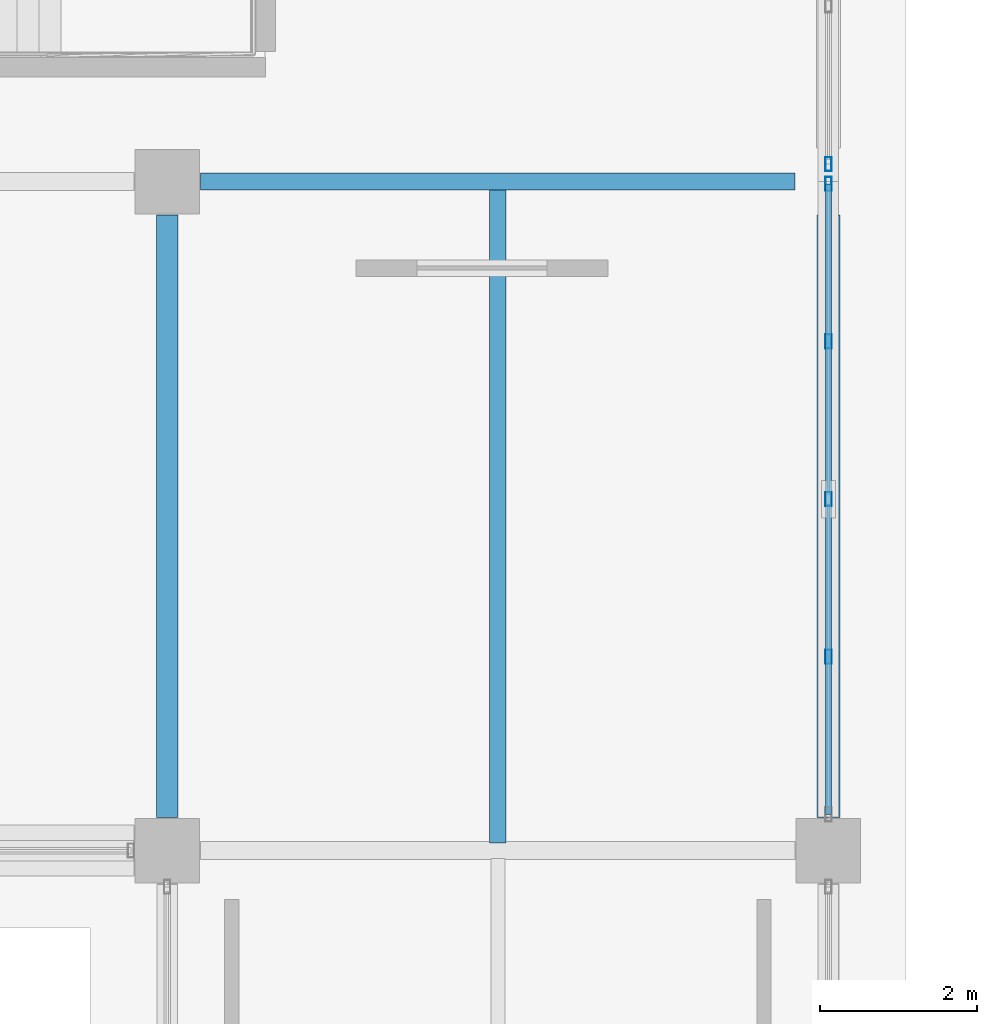
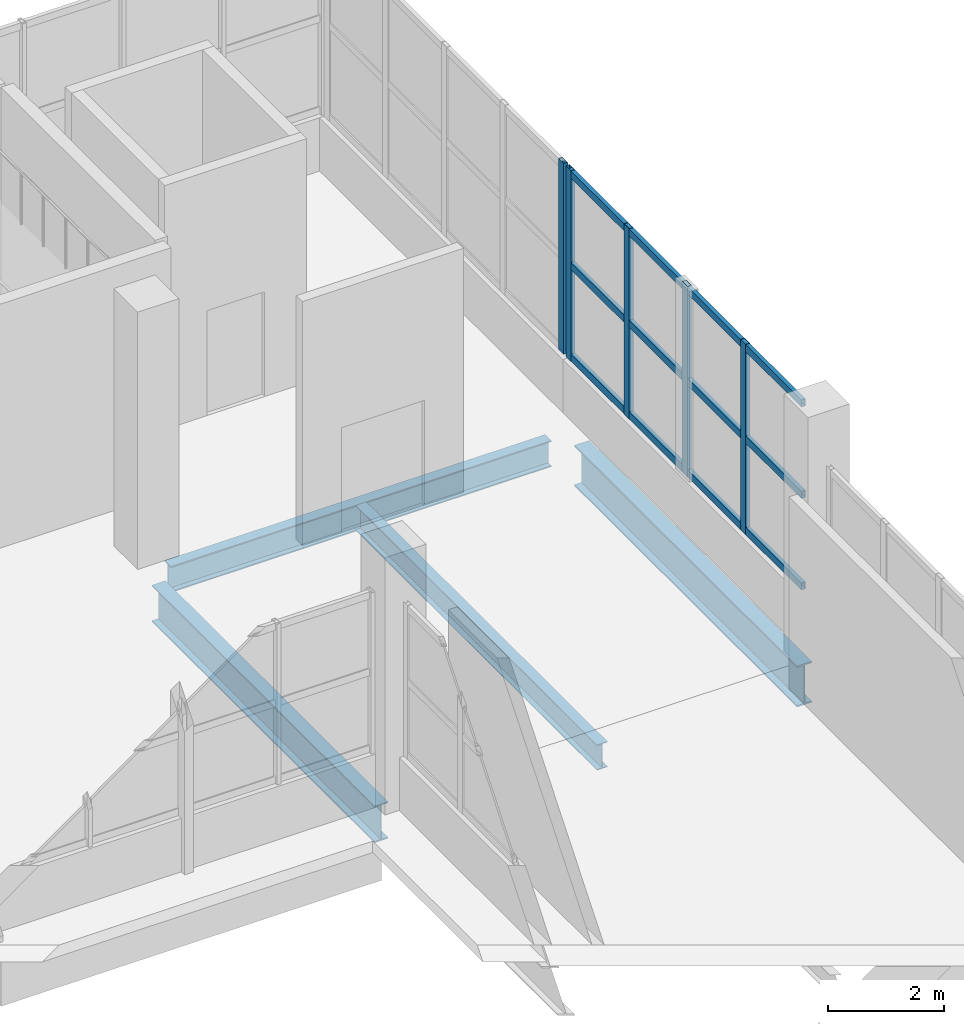
# One storey, part 41 of 107: 8 members, 4 beams, 2 elements without a shape of their own.
"""IFC4 building model written with IfcOpenShell, lengths in metres."""

from ifc_helpers import new_model, si_unit, direction, frame, origin, origin_2d, place, context, subcontext, project, spatial, hollow_rectangle, i_section, extrude, material, material_profile, profile_set, type_object, element, aggregate, save


model = new_model("IFC4")

# Units and contexts
model_context = context("Model", 3, precision=1e-05, world=origin(), true_north=direction((0.0, 1.0)))
body_context = subcontext(model_context, "Body", "Model", "MODEL_VIEW")
ifc_project = project(units=[si_unit("LENGTHUNIT", "METRE"), si_unit("AREAUNIT", "SQUARE_METRE"), si_unit("VOLUMEUNIT", "CUBIC_METRE"), si_unit("PLANEANGLEUNIT", "RADIAN"), si_unit("MASSUNIT", "GRAM", prefix="KILO")], contexts=[model_context])

# Site, building, storey
site_placement = place(None, origin())
site = spatial("IfcSite", under=ifc_project, at=site_placement, CompositionType="ELEMENT")
building_placement = place(site_placement, origin())
building = spatial("IfcBuilding", under=site, at=building_placement, Name="Solvento Point Concert Hall", CompositionType="ELEMENT")
storey_placement = place(building_placement, origin())
storey = spatial("IfcBuildingStorey", under=building, at=storey_placement, Name="L00", CompositionType="ELEMENT", Elevation=0.0)

# Beams
ifc_material_1 = material(Name="Structural Steel ASTM A992 Grade 50", Category="steel")
ifc_material_profile_1 = material_profile(ifc_material_1, i_section(OverallWidth=0.20947265625, OverallDepth=0.532958984375, WebThickness=0.01025390625, FlangeThickness=0.015625, at=origin_2d()), Name="W21X62")
ifc_profile_set_1 = profile_set([ifc_material_profile_1], Name="Structural Steel ASTM A992 Grade 50")
beam_type_1 = type_object("IfcBeamType", Name="Beam_W21X62", PredefinedType="BEAM", material=ifc_profile_set_1)
beam_1_placement = place(storey_placement, frame((70.199951171875, 119.09912109375, -0.680419921875), z_axis=(0.0, 1.0, 0.0), x_axis=(-1.0, 0.0, 0.0)))
element("IfcBeam", 1, at=beam_1_placement, inside=storey, type_object=beam_type_1, Name="Secondary floor joist B-25 L00", PredefinedType="BEAM", context=body_context, shape_type="SweptSolid", body=[
    extrude(i_section(OverallWidth=0.20947265625, OverallDepth=0.532958984375, WebThickness=0.01025390625, FlangeThickness=0.015625, at=origin_2d()), origin(), (0.0, 0.0, 1.0), 8.308837890625),
])
ifc_material_2 = material(Name="Structural Steel ASTM A992 Grade 50", Category="steel")
ifc_material_profile_2 = material_profile(ifc_material_2, i_section(OverallWidth=0.214111328125, OverallDepth=0.549072265625, WebThickness=0.0146484375, FlangeThickness=0.023681640625, at=origin_2d()), Name="W21X93")
ifc_profile_set_2 = profile_set([ifc_material_profile_2], Name="Structural Steel ASTM A992 Grade 50")
beam_type_2 = type_object("IfcBeamType", Name="Beam_W21X93", PredefinedType="BEAM", material=ifc_profile_set_2)
beam_2_placement = place(storey_placement, frame((66.424072265625, 127.5, -0.6884765625), z_axis=(1.0, 0.0, 0.0), x_axis=(0.0, 1.0, 0.0)))
element("IfcBeam", 2, at=beam_2_placement, inside=storey, type_object=beam_type_2, Name="Primary girder B-48 L00", PredefinedType="BEAM", context=body_context, shape_type="SweptSolid", body=[
    extrude(i_section(OverallWidth=0.214111328125, OverallDepth=0.549072265625, WebThickness=0.0146484375, FlangeThickness=0.023681640625, at=origin_2d()), origin(), (0.0, 0.0, 1.0), 7.552001953125),
])
ifc_material_3 = material(Name="Structural Steel ASTM A992 Grade 50", Category="steel")
ifc_material_profile_3 = material_profile(ifc_material_3, i_section(OverallWidth=0.26806640625, OverallDepth=0.77001953125, WebThickness=0.015625, FlangeThickness=0.025390625, at=origin_2d()), Name="W30X132")
ifc_profile_set_3 = profile_set([ifc_material_profile_3], Name="Structural Steel ASTM A992 Grade 50")
beam_type_3 = type_object("IfcBeamType", Name="Girder_W30X132", PredefinedType="USERDEFINED", material=ifc_profile_set_3)
beam_3_placement = place(storey_placement, frame((66.0, 119.424072265625, -0.799072265625), z_axis=(0.0, 1.0, 0.0), x_axis=(-1.0, 0.0, 0.0)))
element("IfcBeam", 3, at=beam_3_placement, inside=storey, type_object=beam_type_3, Name="Primary girder B-68 L00", ObjectType="GIRDER", PredefinedType="USERDEFINED", context=body_context, shape_type="SweptSolid", body=[
    extrude(i_section(OverallWidth=0.26806640625, OverallDepth=0.77001953125, WebThickness=0.015625, FlangeThickness=0.025390625, at=origin_2d()), origin(), (0.0, 0.0, 1.0), 7.65185546875),
])
ifc_material_4 = material(Name="Structural Steel ASTM A992 Grade 50", Category="steel")
ifc_material_profile_4 = material_profile(ifc_material_4, i_section(OverallWidth=0.2919921875, OverallDepth=0.85888671875, WebThickness=0.01708984375, FlangeThickness=0.031005859375, at=origin_2d()), Name="W33X169")
ifc_profile_set_4 = profile_set([ifc_material_profile_4], Name="Structural Steel ASTM A992 Grade 50")
beam_type_4 = type_object("IfcBeamType", Name="Girder_W33X169", PredefinedType="USERDEFINED", material=ifc_profile_set_4)
beam_4_placement = place(storey_placement, frame((74.39990234375, 119.424072265625, -0.843505859375), z_axis=(0.0, 1.0, 0.0), x_axis=(-1.0, 0.0, 0.0)))
element("IfcBeam", 4, at=beam_4_placement, inside=storey, type_object=beam_type_4, Name="Primary girder B-33 L00", ObjectType="GIRDER", PredefinedType="USERDEFINED", context=body_context, shape_type="SweptSolid", body=[
    extrude(i_section(OverallWidth=0.2919921875, OverallDepth=0.85888671875, WebThickness=0.01708984375, FlangeThickness=0.031005859375, at=origin_2d()), origin(), (0.0, 0.0, 1.0), 7.65185546875),
])

# Curtain wall, members
ifc_material_5 = material(Name="Anodized Bronze Aluminium", Category="aluminium")
curtain_wall_type = type_object("IfcCurtainWallType", Name="CurtainWall_CourtPilotis", PredefinedType="USERDEFINED", material=ifc_material_5)
curtain_wall_1_placement = place(storey_placement, origin())
curtain_wall_1 = element("IfcCurtainWall", 5, at=curtain_wall_1_placement, inside=storey, type_object=curtain_wall_type, Name="Unitised curtain wall CW-96 UCW-L00-032", ObjectType="UNITISED CURTAIN WALL", PredefinedType="USERDEFINED")
ifc_material_6 = material(Name="Anodized Bronze Aluminium", Category="aluminium")
ifc_material_profile_5 = material_profile(ifc_material_6, hollow_rectangle(XDim=0.080078125, YDim=0.179931640625, WallThickness=0.00390625, at=origin_2d()), Name="CW-MUL-80X180")
ifc_profile_set_5 = profile_set([ifc_material_profile_5], Name="Anodized Bronze Aluminium")
member_type_1 = type_object("IfcMemberType", Name="Mullion_80x180", PredefinedType="MULLION", material=ifc_profile_set_5)
member_1_placement = place(storey_placement, frame((74.39990234375, 121.46240234375, 1.1201171875), z_axis=(0.0, 0.0, 1.0), x_axis=(1.0, 0.0, 0.0)))
member_1 = element("IfcMember", 6, at=member_1_placement, type_object=member_type_1, Name="Curtain wall mullion ML-01", PredefinedType="MULLION", context=body_context, shape_type="SweptSolid", body=[
    extrude(hollow_rectangle(XDim=0.080078125, YDim=0.179931640625, WallThickness=0.00390625, at=origin_2d()), origin(), (0.0, 0.0, 1.0), 4.0),
])
member_2_placement = place(storey_placement, frame((74.39990234375, 123.465087890625, 1.1201171875), z_axis=(0.0, 0.0, 1.0), x_axis=(1.0, 0.0, 0.0)))
member_2 = element("IfcMember", 7, at=member_2_placement, type_object=member_type_1, Name="Curtain wall mullion ML-01", PredefinedType="MULLION", context=body_context, shape_type="SweptSolid", body=[
    extrude(hollow_rectangle(XDim=0.080078125, YDim=0.179931640625, WallThickness=0.00390625, at=origin_2d()), origin(), (0.0, 0.0, 1.0), 4.0),
])
member_3_placement = place(storey_placement, frame((74.39990234375, 125.467529296875, 1.1201171875), z_axis=(0.0, 0.0, 1.0), x_axis=(1.0, 0.0, 0.0)))
member_3 = element("IfcMember", 8, at=member_3_placement, type_object=member_type_1, Name="Curtain wall mullion ML-01", PredefinedType="MULLION", context=body_context, shape_type="SweptSolid", body=[
    extrude(hollow_rectangle(XDim=0.080078125, YDim=0.179931640625, WallThickness=0.00390625, at=origin_2d()), origin(), (0.0, 0.0, 1.0), 4.0),
])
member_4_placement = place(storey_placement, frame((74.39990234375, 127.469970703125, 1.1201171875), z_axis=(0.0, 0.0, 1.0), x_axis=(1.0, 0.0, 0.0)))
member_4 = element("IfcMember", 9, at=member_4_placement, type_object=member_type_1, Name="Curtain wall mullion ML-01", PredefinedType="MULLION", context=body_context, shape_type="SweptSolid", body=[
    extrude(hollow_rectangle(XDim=0.080078125, YDim=0.179931640625, WallThickness=0.00390625, at=origin_2d()), origin(), (0.0, 0.0, 1.0), 4.0),
])

# Curtain wall, member
curtain_wall_2_placement = place(storey_placement, origin())
curtain_wall_2 = element("IfcCurtainWall", 10, at=curtain_wall_2_placement, inside=storey, type_object=curtain_wall_type, Name="Unitised curtain wall CW-96 UCW-L00-033", ObjectType="UNITISED CURTAIN WALL", PredefinedType="USERDEFINED")
member_5_placement = place(storey_placement, frame((74.39990234375, 127.719970703125, 1.1201171875), z_axis=(0.0, 0.0, 1.0), x_axis=(1.0, 0.0, 0.0)))
member_5 = element("IfcMember", 11, at=member_5_placement, type_object=member_type_1, Name="Curtain wall mullion ML-01", PredefinedType="MULLION", context=body_context, shape_type="SweptSolid", body=[
    extrude(hollow_rectangle(XDim=0.080078125, YDim=0.179931640625, WallThickness=0.00390625, at=origin_2d()), origin(), (0.0, 0.0, 1.0), 4.0),
])
aggregate(curtain_wall_2, [member_5])

# Member
ifc_material_7 = material(Name="Anodized Bronze Aluminium", Category="aluminium")
ifc_material_profile_6 = material_profile(ifc_material_7, hollow_rectangle(XDim=0.080078125, YDim=0.14990234375, WallThickness=0.00390625, at=origin_2d()), Name="CW-TRN-80X150")
ifc_profile_set_6 = profile_set([ifc_material_profile_6], Name="Anodized Bronze Aluminium")
member_type_2 = type_object("IfcMemberType", Name="Transom_80x150", PredefinedType="USERDEFINED", material=ifc_profile_set_6)
member_6_placement = place(storey_placement, frame((74.39990234375, 119.4599609375, 1.199951171875), z_axis=(0.0, 1.0, 0.0), x_axis=(-1.0, 0.0, 0.0)))
member_6 = element("IfcMember", 12, at=member_6_placement, type_object=member_type_2, Name="Curtain wall transom TR-01", ObjectType="TRANSOM", PredefinedType="USERDEFINED", context=body_context, shape_type="SweptSolid", body=[
    extrude(hollow_rectangle(XDim=0.080078125, YDim=0.14990234375, WallThickness=0.00390625, at=origin_2d()), origin(), (0.0, 0.0, 1.0), 8.010009765625),
])

member_7_placement = place(storey_placement, frame((74.39990234375, 119.4599609375, 3.1201171875), z_axis=(0.0, 1.0, 0.0), x_axis=(-1.0, 0.0, 0.0)))
member_7 = element("IfcMember", 13, at=member_7_placement, type_object=member_type_2, Name="Curtain wall transom TR-01", ObjectType="TRANSOM", PredefinedType="USERDEFINED", context=body_context, shape_type="SweptSolid", body=[
    extrude(hollow_rectangle(XDim=0.080078125, YDim=0.14990234375, WallThickness=0.00390625, at=origin_2d()), origin(), (0.0, 0.0, 1.0), 8.010009765625),
])

member_8_placement = place(storey_placement, frame((74.39990234375, 119.4599609375, 5.0400390625), z_axis=(0.0, 1.0, 0.0), x_axis=(-1.0, 0.0, 0.0)))
member_8 = element("IfcMember", 14, at=member_8_placement, type_object=member_type_2, Name="Curtain wall transom TR-01", ObjectType="TRANSOM", PredefinedType="USERDEFINED", context=body_context, shape_type="SweptSolid", body=[
    extrude(hollow_rectangle(XDim=0.080078125, YDim=0.14990234375, WallThickness=0.00390625, at=origin_2d()), origin(), (0.0, 0.0, 1.0), 8.010009765625),
])

aggregate(curtain_wall_1, [member_1, member_2, member_3, member_4, member_6, member_7, member_8])

save(model, "model.ifc")
